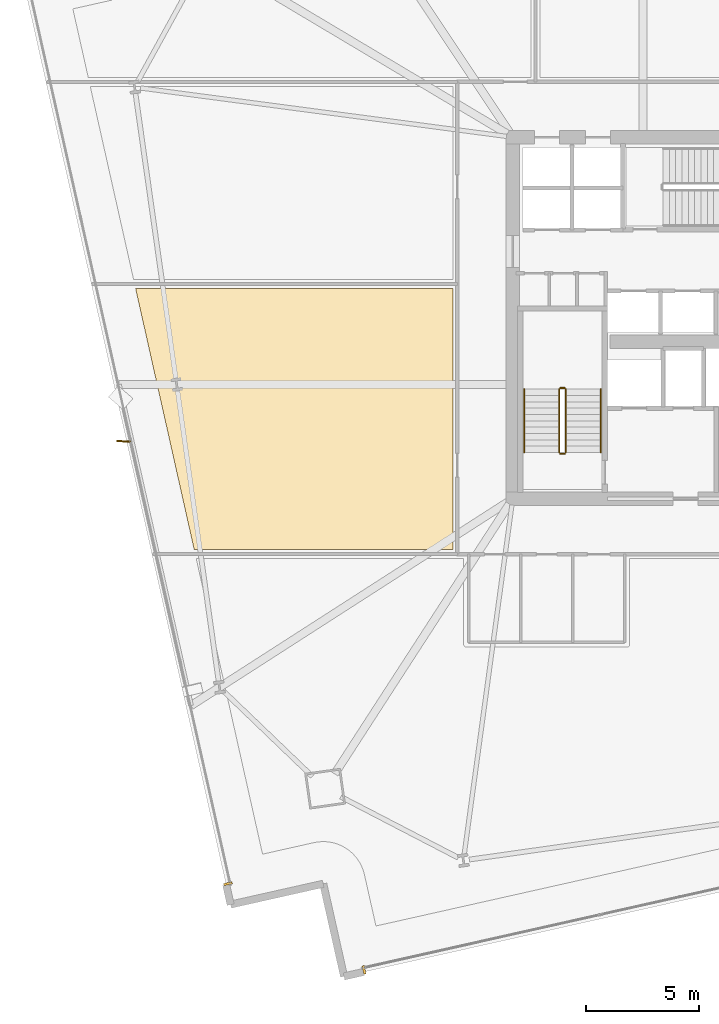
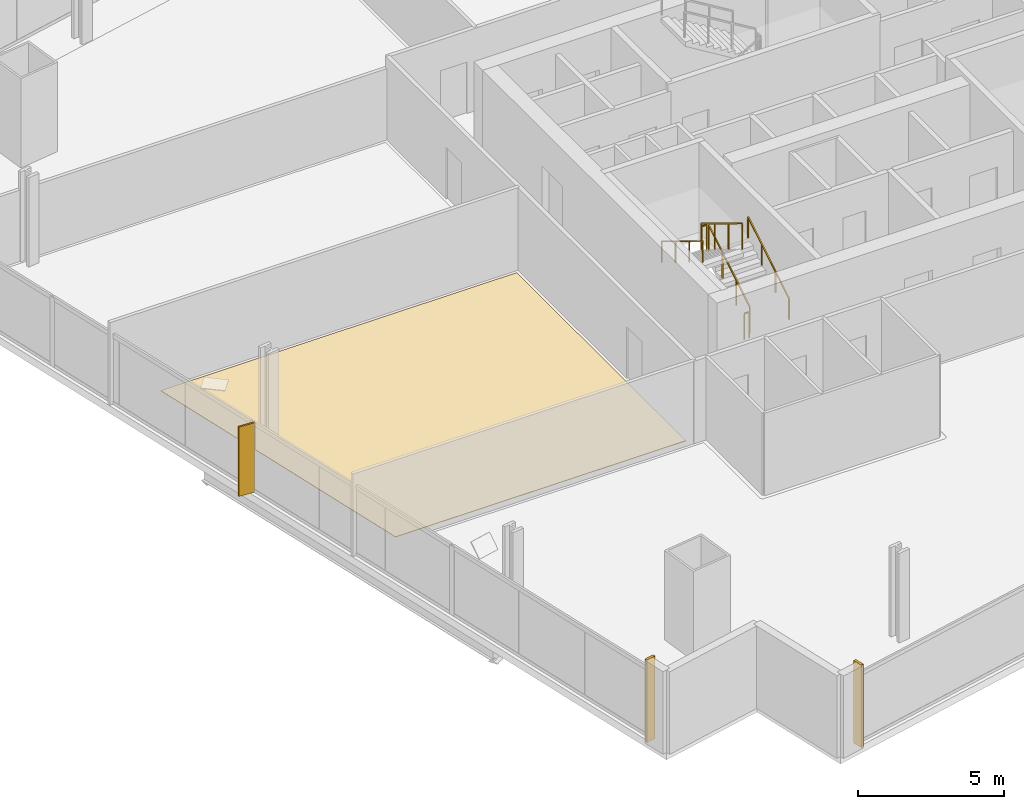
# One storey, part 28 of 32: 6 railings, 3 coverings, 1 shading device.
"""IFC4 building model written with IfcOpenShell, lengths in metres."""

from ifc_helpers import new_model, si_unit, direction, frame, origin, origin_2d, place, context, subcontext, project, spatial, polyline, rectangle, outline, extrude, source, transform, mapped, material, layer, layer_set, type_object, element, save


model = new_model("IFC4")

# Units and contexts
model_context = context("Model", 3, precision=1e-05, world=origin(), true_north=direction((0.0, 1.0)))
body_context = subcontext(model_context, "Body", "Model", "MODEL_VIEW")
ifc_project = project(units=[si_unit("LENGTHUNIT", "METRE"), si_unit("AREAUNIT", "SQUARE_METRE"), si_unit("VOLUMEUNIT", "CUBIC_METRE"), si_unit("PLANEANGLEUNIT", "RADIAN"), si_unit("MASSUNIT", "GRAM", prefix="KILO")], contexts=[model_context])

# Site, building, storey
site_placement = place(None, origin())
site = spatial("IfcSite", under=ifc_project, at=site_placement, CompositionType="ELEMENT")
building_placement = place(site_placement, origin())
building = spatial("IfcBuilding", under=site, at=building_placement, Name="Haldenkirk Collegiate Tower", CompositionType="ELEMENT")
storey_placement = place(building_placement, frame((0.0, 0.0, 70.199951171875)))
storey = spatial("IfcBuildingStorey", under=building, at=storey_placement, Name="L16", CompositionType="ELEMENT", Elevation=70.199951171875)

# Covering
ifc_material_1 = material(Name="Engineered collegiate oak acoustic flooring", Category="wood")
ifc_layer_1 = layer(ifc_material_1, 0.02197265625)
ifc_layer_set_1 = layer_set([ifc_layer_1], Name="Engineered collegiate oak acoustic flooring")
covering_type_1 = type_object("IfcCoveringType", Name="COV-FLOOR-TIMBER", PredefinedType="FLOORING", material=ifc_layer_set_1)
covering_placement = place(storey_placement, origin())
element("IfcCovering", 1, at=covering_placement, inside=storey, type_object=covering_type_1, Name="L16 academic room finish 05", PredefinedType="FLOORING", context=body_context, shape_type="SweptSolid", body=[
    extrude(outline(polyline([(10.311767578125, 27.300048828125), (24.35009765625, 27.300048828125), (24.35009765625, 15.75), (12.904052734375, 15.75), (10.311767578125, 27.300048828125)])), origin(), (0.0, 0.0, 1.0), 0.02197265625),
])

# Railings
ifc_material_2 = material(Name="Painted architectural tubular steel", Category="steel")
railing_type_1 = type_object("IfcRailingType", Name="RLG-STAIR-GUARD-1100", PredefinedType="BALUSTRADE", material=ifc_material_2)
railing_1_placement = place(storey_placement, frame((29.35009765625, 20.050048828125, 0.17041015625)))
element("IfcRailing", 2, at=railing_1_placement, inside=storey, type_object=railing_type_1, Name="L16 ST-1 stair guard 1", PredefinedType="BALUSTRADE", context=body_context, shape_type="SweptSolid", body=[
    extrude(rectangle(XDim=0.048095703125, YDim=0.048095703125, at=origin_2d()), frame((0.0, 0.0, 1.076171875), z_axis=(0.0, 0.854169791009, 0.51999420009), x_axis=(-1.0, 0.0, 0.0)), (0.0, 0.0, 1.0), 3.278076171875),
    extrude(rectangle(XDim=0.0419921875, YDim=0.0419921875, at=origin_2d()), origin(), (0.0, 0.0, 1.0), 1.052001953125),
    extrude(rectangle(XDim=0.0419921875, YDim=0.0419921875, at=origin_2d()), frame((0.0, 0.933349609375, 0.568115234375)), (0.0, 0.0, 1.0), 1.052001953125),
    extrude(rectangle(XDim=0.0419921875, YDim=0.0419921875, at=origin_2d()), frame((0.0, 1.86669921875, 1.136474609375)), (0.0, 0.0, 1.0), 1.052001953125),
    extrude(rectangle(XDim=0.0419921875, YDim=0.0419921875, at=origin_2d()), frame((0.0, 2.800048828125, 1.70458984375)), (0.0, 0.0, 1.0), 1.052001953125),
])
railing_2_placement = place(storey_placement, frame((29.300048828125, 22.89990234375, 1.875)))
element("IfcRailing", 3, at=railing_2_placement, inside=storey, type_object=railing_type_1, Name="L16 ST-1 stair guard 2", PredefinedType="BALUSTRADE", context=body_context, shape_type="SweptSolid", body=[
    extrude(rectangle(XDim=0.048095703125, YDim=0.048095703125, at=origin_2d()), frame((0.0, 0.0, 1.076171875), z_axis=(-1.0, 0.0, 0.0), x_axis=(0.0, -1.0, 0.0)), (0.0, 0.0, 1.0), 0.199951171875),
    extrude(rectangle(XDim=0.0419921875, YDim=0.0419921875, at=origin_2d()), origin(), (0.0, 0.0, 1.0), 1.052001953125),
    extrude(rectangle(XDim=0.0419921875, YDim=0.0419921875, at=origin_2d()), frame((-0.199951171875, 0.0, 0.0)), (0.0, 0.0, 1.0), 1.052001953125),
])
railing_3_placement = place(storey_placement, frame((29.050048828125, 22.85009765625, 2.04541015625)))
element("IfcRailing", 4, at=railing_3_placement, inside=storey, type_object=railing_type_1, Name="L16 ST-1 stair guard 3", PredefinedType="BALUSTRADE", context=body_context, shape_type="SweptSolid", body=[
    extrude(rectangle(XDim=0.048095703125, YDim=0.048095703125, at=origin_2d()), frame((0.0, 0.0, 1.076171875), z_axis=(0.0, -0.854169791009, 0.51999420009), x_axis=(1.0, 0.0, 0.0)), (0.0, 0.0, 1.0), 3.278076171875),
    extrude(rectangle(XDim=0.0419921875, YDim=0.0419921875, at=origin_2d()), origin(), (0.0, 0.0, 1.0), 1.052001953125),
    extrude(rectangle(XDim=0.0419921875, YDim=0.0419921875, at=origin_2d()), frame((0.0, -0.933349609375, 0.568115234375)), (0.0, 0.0, 1.0), 1.052001953125),
    extrude(rectangle(XDim=0.0419921875, YDim=0.0419921875, at=origin_2d()), frame((0.0, -1.86669921875, 1.136474609375)), (0.0, 0.0, 1.0), 1.052001953125),
    extrude(rectangle(XDim=0.0419921875, YDim=0.0419921875, at=origin_2d()), frame((0.0, -2.800048828125, 1.70458984375)), (0.0, 0.0, 1.0), 1.052001953125),
])
railing_4_placement = place(storey_placement, frame((29.300048828125, 20.0, 0.0)))
element("IfcRailing", 5, at=railing_4_placement, inside=storey, type_object=railing_type_1, Name="L16 ST-1 stair guard 4", PredefinedType="BALUSTRADE", context=body_context, shape_type="SweptSolid", body=[
    extrude(rectangle(XDim=0.048095703125, YDim=0.048095703125, at=origin_2d()), frame((0.0, 0.0, 1.076171875), z_axis=(-1.0, 0.0, 0.0), x_axis=(0.0, -1.0, 0.0)), (0.0, 0.0, 1.0), 0.199951171875),
    extrude(rectangle(XDim=0.0419921875, YDim=0.0419921875, at=origin_2d()), origin(), (0.0, 0.0, 1.0), 1.052001953125),
    extrude(rectangle(XDim=0.0419921875, YDim=0.0419921875, at=origin_2d()), frame((-0.199951171875, 0.0, 0.0)), (0.0, 0.0, 1.0), 1.052001953125),
])
railing_type_2 = type_object("IfcRailingType", Name="RLG-STAIR-HANDRAIL-900", PredefinedType="HANDRAIL", material=ifc_material_2)
railing_5_placement = place(storey_placement, frame((30.89990234375, 20.050048828125, 0.17041015625)))
element("IfcRailing", 6, at=railing_5_placement, inside=storey, type_object=railing_type_2, Name="L16 ST-1 stair handrail 1", PredefinedType="HANDRAIL", context=body_context, shape_type="SweptSolid", body=[
    extrude(rectangle(XDim=0.048095703125, YDim=0.048095703125, at=origin_2d()), frame((0.0, 0.0, 0.8759765625), z_axis=(0.0, 0.854169791009, 0.51999420009), x_axis=(-1.0, 0.0, 0.0)), (0.0, 0.0, 1.0), 3.278076171875),
    extrude(rectangle(XDim=0.0419921875, YDim=0.0419921875, at=origin_2d()), origin(), (0.0, 0.0, 1.0), 0.851806640625),
    extrude(rectangle(XDim=0.0419921875, YDim=0.0419921875, at=origin_2d()), frame((0.0, 0.933349609375, 0.568115234375)), (0.0, 0.0, 1.0), 0.851806640625),
    extrude(rectangle(XDim=0.0419921875, YDim=0.0419921875, at=origin_2d()), frame((0.0, 1.86669921875, 1.136474609375)), (0.0, 0.0, 1.0), 0.851806640625),
    extrude(rectangle(XDim=0.0419921875, YDim=0.0419921875, at=origin_2d()), frame((0.0, 2.800048828125, 1.70458984375)), (0.0, 0.0, 1.0), 0.851806640625),
])
railing_6_placement = place(storey_placement, frame((27.5, 22.85009765625, 2.04541015625)))
element("IfcRailing", 7, at=railing_6_placement, inside=storey, type_object=railing_type_2, Name="L16 ST-1 stair handrail 2", PredefinedType="HANDRAIL", context=body_context, shape_type="SweptSolid", body=[
    extrude(rectangle(XDim=0.048095703125, YDim=0.048095703125, at=origin_2d()), frame((0.0, 0.0, 0.8759765625), z_axis=(0.0, -0.854169791009, 0.51999420009), x_axis=(1.0, 0.0, 0.0)), (0.0, 0.0, 1.0), 3.278076171875),
    extrude(rectangle(XDim=0.0419921875, YDim=0.0419921875, at=origin_2d()), origin(), (0.0, 0.0, 1.0), 0.851806640625),
    extrude(rectangle(XDim=0.0419921875, YDim=0.0419921875, at=origin_2d()), frame((0.0, -0.933349609375, 0.568115234375)), (0.0, 0.0, 1.0), 0.851806640625),
    extrude(rectangle(XDim=0.0419921875, YDim=0.0419921875, at=origin_2d()), frame((0.0, -1.86669921875, 1.136474609375)), (0.0, 0.0, 1.0), 0.851806640625),
    extrude(rectangle(XDim=0.0419921875, YDim=0.0419921875, at=origin_2d()), frame((0.0, -2.800048828125, 1.70458984375)), (0.0, 0.0, 1.0), 0.851806640625),
])

# Coverings
ifc_material_3 = material(Name="Anodised architectural bronze aluminium", Category="aluminium")
ifc_layer_2 = layer(ifc_material_3, 0.06005859375)
ifc_layer_set_2 = layer_set([ifc_layer_2], Name="Anodised architectural bronze aluminium")
covering_type_2 = type_object("IfcCoveringType", Name="COV-CLAD-BRONZE-60", PredefinedType="CLADDING", material=ifc_layer_set_2)
shared_shape_1 = source(origin(), body_context, "Body", "SweptSolid", [
    extrude(rectangle(XDim=0.10009765625, YDim=0.3798828125, at=origin_2d()), origin(), (0.0, 0.0, 1.0), 3.43994140625),
])
for number, where, z_axis, x_axis, name in (
    (8, (20.419189453125, -2.847412109375, 0.0), (0.0, 0.0, 1.0), (-0.975726024471, -0.218994806262, 0.0), "L16 recessed curtain-wall bronze jamb closure SJR"),
    (9, (14.397705078125, 0.966552734375, 0.0), (0.0, 0.0, 1.0), (-0.218994806262, 0.975726024471, 0.0), "L16 recessed curtain-wall bronze jamb closure WJL"),
):
    element("IfcCovering", number, at=place(storey_placement, frame(where, z_axis=z_axis, x_axis=x_axis)), inside=storey, type_object=covering_type_2, Name=name, PredefinedType="CLADDING", context=body_context, shape_type="MappedRepresentation", body=[
        mapped(shared_shape_1, transform((0.0, 0.0, 0.0), x_axis=(1.0, 0.0, 0.0), y_axis=(0.0, 1.0, 0.0), z_axis=(0.0, 0.0, 1.0), scale=1.0)),
    ])

# Shading device
ifc_layer_3 = layer(ifc_material_3, 0.06494140625)
ifc_layer_set_3 = layer_set([ifc_layer_3], Name="Anodised architectural bronze aluminium")
shading_device_type = type_object("IfcShadingDeviceType", Name="SHD-FIN-BRONZE-620", PredefinedType="USERDEFINED", material=ifc_layer_set_3)
shared_shape_2 = source(origin(), body_context, "Body", "SweptSolid", [
    extrude(rectangle(XDim=0.6201171875, YDim=0.06494140625, at=origin_2d()), origin(), (0.0, 0.0, 1.0), 2.89111328125),
])
shading_device_placement = place(storey_placement, frame((9.79443359375, 20.541015625, 0.0), z_axis=(0.0, 0.0, 1.0), x_axis=(-0.99829120239, 0.058435222518, 0.0)))
element("IfcShadingDevice", 10, at=shading_device_placement, inside=storey, type_object=shading_device_type, Name="L16 folded bronze solar fin 1", ObjectType="FIN", PredefinedType="USERDEFINED", context=body_context, shape_type="MappedRepresentation", body=[
    mapped(shared_shape_2, transform((0.0, 0.0, 0.0), x_axis=(1.0, 0.0, 0.0), y_axis=(0.0, 1.0, 0.0), z_axis=(0.0, 0.0, 1.0), scale=1.0)),
])

save(model, "model.ifc")
